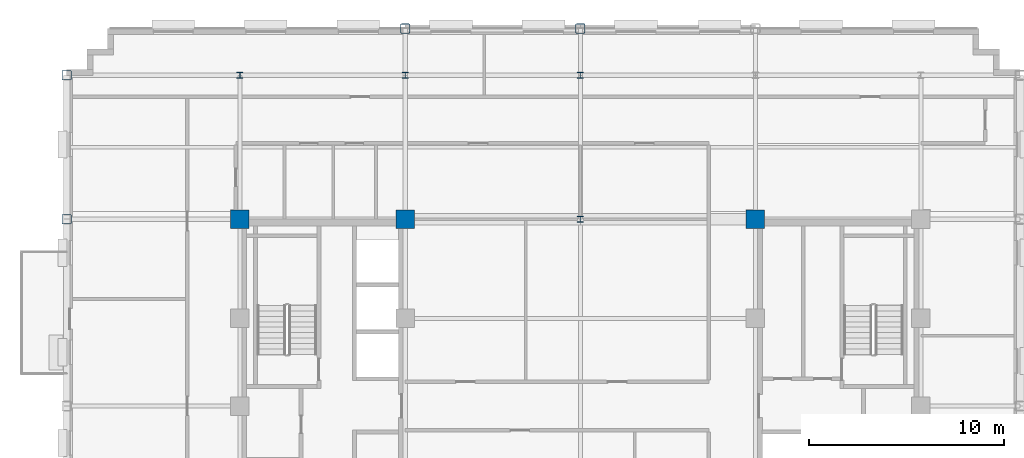
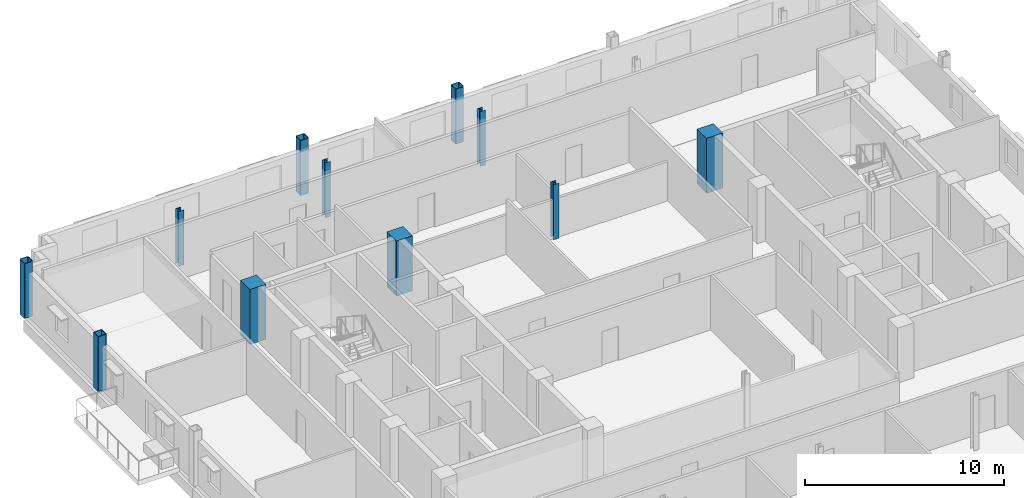
# One storey, part 3 of 15: 11 columns.
"""IFC4 building model written with IfcOpenShell, lengths in metres."""

from ifc_helpers import new_model, si_unit, direction, frame, origin, origin_2d, place, context, subcontext, project, spatial, rectangle, hollow_rectangle, i_section, extrude, material, material_profile, profile_set, type_object, element, save


model = new_model("IFC4")

# Units and contexts
model_context = context("Model", 3, precision=1e-05, world=origin(), true_north=direction((0.0, 1.0)))
body_context = subcontext(model_context, "Body", "Model", "MODEL_VIEW")
ifc_project = project(units=[si_unit("LENGTHUNIT", "METRE"), si_unit("AREAUNIT", "SQUARE_METRE"), si_unit("VOLUMEUNIT", "CUBIC_METRE"), si_unit("PLANEANGLEUNIT", "RADIAN"), si_unit("MASSUNIT", "GRAM", prefix="KILO")], contexts=[model_context])

# Site, building, storey
site_placement = place(None, origin())
site = spatial("IfcSite", under=ifc_project, at=site_placement, CompositionType="ELEMENT")
building_placement = place(site_placement, origin())
building = spatial("IfcBuilding", under=site, at=building_placement, Name="Nuvemarco Arch Tower", CompositionType="ELEMENT")
storey_placement = place(building_placement, frame((0.0, 0.0, 198.199951171875)))
storey = spatial("IfcBuildingStorey", under=building, at=storey_placement, Name="L52", CompositionType="ELEMENT", Elevation=198.199951171875)

# Columns
ifc_material_1 = material(Name="Concrete C50/60", Category="concrete")
ifc_material_profile_1 = material_profile(ifc_material_1, rectangle(XDim=0.949951171875, YDim=0.949951171875, at=origin_2d()), Name="RC-COL-950x950")
ifc_profile_set_1 = profile_set([ifc_material_profile_1], Name="Concrete C50/60")
column_type_1 = type_object("IfcColumnType", Name="COL-CORE-950", PredefinedType="COLUMN", material=ifc_profile_set_1)
for number, where, z_axis, x_axis, name in (
    (1, (-17.5, 9.60009765625, 0.0), (0.0, 0.0, 1.0), (1.0, 0.0, 0.0), "L52 column CC_-17.5_+9.6"),
    (2, (-9.0, 9.60009765625, 0.0), (0.0, 0.0, 1.0), (1.0, 0.0, 0.0), "L52 column CC_-9.0_+9.6"),
    (3, (9.0, 9.60009765625, 0.0), (0.0, 0.0, 1.0), (1.0, 0.0, 0.0), "L52 column CC_+9.0_+9.6"),
):
    element("IfcColumn", number, at=place(storey_placement, frame(where, z_axis=z_axis, x_axis=x_axis)), inside=storey, type_object=column_type_1, Name=name, PredefinedType="COLUMN", context=body_context, shape_type="SweptSolid", body=[
        extrude(rectangle(XDim=0.949951171875, YDim=0.949951171875, at=origin_2d()), origin(), (0.0, 0.0, 1.0), 3.3701171875),
    ])
ifc_material_2 = material(Name="Steel S355", Category="steel")
ifc_material_profile_2 = material_profile(ifc_material_2, hollow_rectangle(XDim=0.5, YDim=0.5, WallThickness=0.031982421875, InnerFilletRadius=0.031982421875, OuterFilletRadius=0.06396484375, at=origin_2d()), Name="SHS500x500x32")
ifc_profile_set_2 = profile_set([ifc_material_profile_2], Name="Steel S355")
column_type_2 = type_object("IfcColumnType", Name="COL-EXO-500", PredefinedType="COLUMN", material=ifc_profile_set_2)
for number, where, z_axis, x_axis, name in (
    (4, (-26.39990234375, 9.60009765625, 0.0), (0.0, 0.0, 1.0), (1.0, 0.0, 0.0), "L52 column CX_-26.4_+9.6"),
    (5, (-26.39990234375, 17.0, 0.0), (0.0, 0.0, 1.0), (1.0, 0.0, 0.0), "L52 column CX_-26.4_+17.0"),
    (6, (-9.0, 19.39990234375, 0.0), (0.0, 0.0, 1.0), (1.0, 0.0, 0.0), "L52 column CY_-9.0_+19.4"),
    (7, (0.0, 19.39990234375, 0.0), (0.0, 0.0, 1.0), (1.0, 0.0, 0.0), "L52 column CY_+0.0_+19.4"),
):
    element("IfcColumn", number, at=place(storey_placement, frame(where, z_axis=z_axis, x_axis=x_axis)), inside=storey, type_object=column_type_2, Name=name, PredefinedType="COLUMN", context=body_context, shape_type="SweptSolid", body=[
        extrude(hollow_rectangle(XDim=0.5, YDim=0.5, WallThickness=0.031982421875, InnerFilletRadius=0.031982421875, OuterFilletRadius=0.06396484375, at=origin_2d()), origin(), (0.0, 0.0, 1.0), 3.3701171875),
    ])
ifc_material_profile_3 = material_profile(ifc_material_2, i_section(OverallWidth=0.31005859375, OverallDepth=0.31005859375, WebThickness=0.015380859375, FlangeThickness=0.015380859375, FilletRadius=0.014892578125, at=origin_2d()), Name="HP310x110")
ifc_profile_set_3 = profile_set([ifc_material_profile_3], Name="Steel S355")
column_type_3 = type_object("IfcColumnType", Name="COL-STL-HP310", PredefinedType="COLUMN", material=ifc_profile_set_3)
for number, where, z_axis, x_axis, name in (
    (8, (0.0, 9.60009765625, 0.0), (0.0, 0.0, 1.0), (1.0, 0.0, 0.0), "L52 column CI_+0.0_+9.6"),
    (9, (0.0, 17.0, 0.0), (0.0, 0.0, 1.0), (1.0, 0.0, 0.0), "L52 column CI_+0.0_+17.0"),
    (10, (-17.5, 17.0, 0.0), (0.0, 0.0, 1.0), (1.0, 0.0, 0.0), "L52 column CI_-17.5_+17.0"),
    (11, (-9.0, 17.0, 0.0), (0.0, 0.0, 1.0), (1.0, 0.0, 0.0), "L52 column CI_-9.0_+17.0"),
):
    element("IfcColumn", number, at=place(storey_placement, frame(where, z_axis=z_axis, x_axis=x_axis)), inside=storey, type_object=column_type_3, Name=name, PredefinedType="COLUMN", context=body_context, shape_type="SweptSolid", body=[
        extrude(i_section(OverallWidth=0.31005859375, OverallDepth=0.31005859375, WebThickness=0.015380859375, FlangeThickness=0.015380859375, FilletRadius=0.014892578125, at=origin_2d()), origin(), (0.0, 0.0, 1.0), 3.3701171875),
    ])

save(model, "model.ifc")
